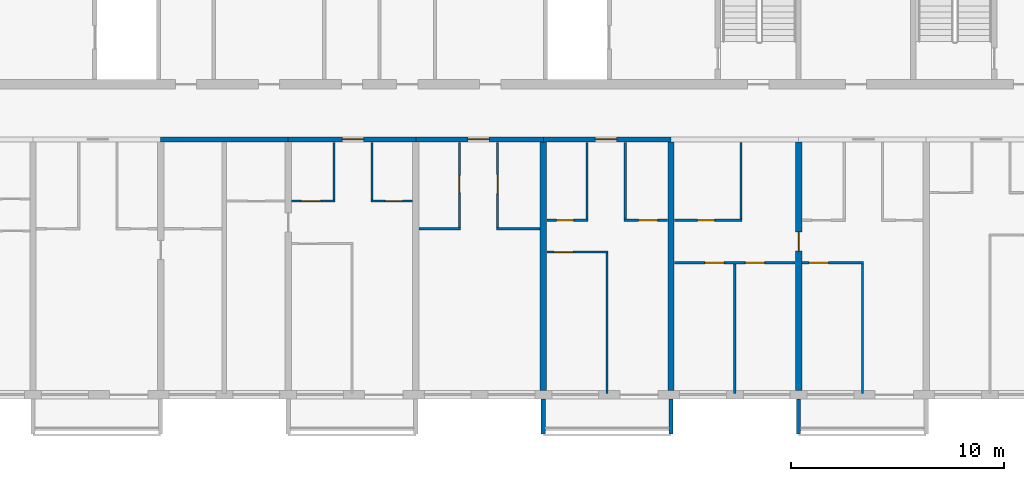
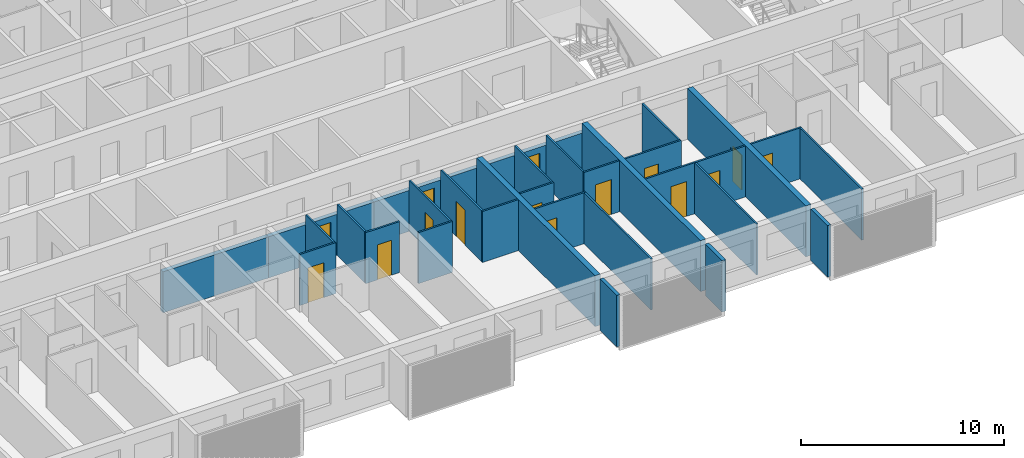
# One storey, part 5 of 32: 30 walls, 15 doors, 15 openings.
"""IFC4 building model written with IfcOpenShell, lengths in metres."""

from ifc_helpers import new_model, si_unit, direction, frame, frame_2d, origin, place, context, subcontext, project, spatial, polyline, rectangle, outline, extrude, source, transform, mapped, material, layer, layer_set, type_object, element, fill, save


model = new_model("IFC4")

# Units and contexts
model_context = context("Model", 3, precision=1e-05, world=origin(), true_north=direction((0.0, 1.0)))
body_context = subcontext(model_context, "Body", "Model", "MODEL_VIEW")
ifc_project = project(units=[si_unit("LENGTHUNIT", "METRE"), si_unit("AREAUNIT", "SQUARE_METRE"), si_unit("VOLUMEUNIT", "CUBIC_METRE"), si_unit("PLANEANGLEUNIT", "RADIAN"), si_unit("MASSUNIT", "GRAM", prefix="KILO")], contexts=[model_context])

# Site, building, storey
site_placement = place(None, origin())
site = spatial("IfcSite", under=ifc_project, at=site_placement, CompositionType="ELEMENT")
building_placement = place(site_placement, origin())
building = spatial("IfcBuilding", under=site, at=building_placement, Name="Poui Terraces", CompositionType="ELEMENT")
storey_placement = place(building_placement, frame((0.0, 0.0, 122.39990234375)))
storey = spatial("IfcBuildingStorey", under=building, at=storey_placement, Name="L33", CompositionType="ELEMENT", Elevation=122.39990234375)

# Wall
ifc_material_1 = material(Name="Concrete 65 MPa", Category="concrete")
ifc_layer_1 = layer(ifc_material_1, 0.25)
ifc_layer_set_1 = layer_set([ifc_layer_1], Name="Concrete 65 MPa")
wall_type_1 = type_object("IfcWallType", Name="CORRIDOR WALL 250 65MPa", PredefinedType="SHEAR", material=ifc_layer_set_1)
wall_1_placement = place(storey_placement, frame((42.0, 12.0, 0.0), z_axis=(0.0, 0.0, 1.0), x_axis=(1.0, 0.0, 0.0)))
element("IfcWall", 1, at=wall_1_placement, inside=storey, type_object=wall_type_1, Name="CORRIDOR WALL LINE B BAY 6", PredefinedType="SHEAR", context=body_context, shape_type="SweptSolid", body=[
    extrude(rectangle(XDim=6.0, YDim=0.25, at=frame_2d((3.0, 0.0))), origin(), (0.0, 0.0, 1.0), 2.47021484375),
])

# Wall, opening, door
wall_2_placement = place(storey_placement, frame((48.0, 12.0, 0.0), z_axis=(0.0, 0.0, 1.0), x_axis=(1.0, 0.0, 0.0)))
wall_2 = element("IfcWall", 2, at=wall_2_placement, inside=storey, type_object=wall_type_1, Name="CORRIDOR WALL LINE B BAY 7", PredefinedType="SHEAR", context=body_context, shape_type="SweptSolid", body=[
    extrude(rectangle(XDim=6.0, YDim=0.25, at=frame_2d((3.0, 0.0))), origin(), (0.0, 0.0, 1.0), 2.47021484375),
])
opening_1_placement = place(wall_2_placement, frame((2.550048828125, 0.0, 0.0)))
opening_1 = element("IfcOpeningElement", 3, at=opening_1_placement, cuts=wall_2, Name="Opening FD30S", PredefinedType="OPENING", context=body_context, shape_type="SweptSolid", body=[
    extrude(rectangle(XDim=1.0, YDim=2.10009765625, at=frame_2d((0.5, 1.050048828125))), frame((0.0, 0.135009765625, 0.0), z_axis=(0.0, -1.0, 0.0), x_axis=(1.0, 0.0, 0.0)), (0.0, 0.0, 1.0), 0.27001953125),
])
ifc_material_2 = material(Name="Steel fire door", Category="steel")
door_type_1 = type_object("IfcDoorType", Name="FLAT ENTRANCE DOOR 1000 X 2100", OperationType="NOTDEFINED", PredefinedType="DOOR", material=ifc_material_2)
door_1_placement = place(opening_1_placement, frame((1.0, 0.0, 0.0), z_axis=(0.0, 0.0, 1.0), x_axis=(-1.0, 0.0, 0.0)))
door_1 = element("IfcDoor", 4, at=door_1_placement, inside=storey, type_object=door_type_1, Name="FLAT ENTRANCE DOOR 099", OperationType="SINGLE_SWING_LEFT", OverallHeight=2.10009765625, OverallWidth=1.0, PredefinedType="DOOR", context=body_context, shape_type="SweptSolid", body=[
    extrude(rectangle(XDim=1.0, YDim=2.10009765625, at=frame_2d((0.5, 1.050048828125))), frame((0.0, 0.02490234375, 0.0), z_axis=(0.0, -1.0, 0.0), x_axis=(1.0, 0.0, 0.0)), (0.0, 0.0, 1.0), 0.050048828125),
])
fill(opening_1, door_1)

wall_3_placement = place(storey_placement, frame((54.0, 12.0, 0.0), z_axis=(0.0, 0.0, 1.0), x_axis=(1.0, 0.0, 0.0)))
wall_3 = element("IfcWall", 5, at=wall_3_placement, inside=storey, type_object=wall_type_1, Name="CORRIDOR WALL LINE B BAY 8", PredefinedType="SHEAR", context=body_context, shape_type="SweptSolid", body=[
    extrude(rectangle(XDim=6.0, YDim=0.25, at=frame_2d((3.0, 0.0))), origin(), (0.0, 0.0, 1.0), 2.47021484375),
])
opening_2_placement = place(wall_3_placement, frame((2.449951171875, 0.0, 0.0)))
opening_2 = element("IfcOpeningElement", 6, at=opening_2_placement, cuts=wall_3, Name="Opening FD30S", PredefinedType="OPENING", context=body_context, shape_type="SweptSolid", body=[
    extrude(rectangle(XDim=1.0, YDim=2.10009765625, at=frame_2d((0.5, 1.050048828125))), frame((0.0, 0.135009765625, 0.0), z_axis=(0.0, -1.0, 0.0), x_axis=(1.0, 0.0, 0.0)), (0.0, 0.0, 1.0), 0.27001953125),
])
door_2_placement = place(opening_2_placement, frame((1.0, 0.0, 0.0), z_axis=(0.0, 0.0, 1.0), x_axis=(-1.0, 0.0, 0.0)))
door_2 = element("IfcDoor", 7, at=door_2_placement, inside=storey, type_object=door_type_1, Name="FLAT ENTRANCE DOOR 102", OperationType="SINGLE_SWING_RIGHT", OverallHeight=2.10009765625, OverallWidth=1.0, PredefinedType="DOOR", context=body_context, shape_type="SweptSolid", body=[
    extrude(rectangle(XDim=1.0, YDim=2.10009765625, at=frame_2d((0.5, 1.050048828125))), frame((0.0, 0.02490234375, 0.0), z_axis=(0.0, -1.0, 0.0), x_axis=(1.0, 0.0, 0.0)), (0.0, 0.0, 1.0), 0.050048828125),
])
fill(opening_2, door_2)

wall_4_placement = place(storey_placement, frame((60.0, 12.0, 0.0), z_axis=(0.0, 0.0, 1.0), x_axis=(1.0, 0.0, 0.0)))
wall_4 = element("IfcWall", 8, at=wall_4_placement, inside=storey, type_object=wall_type_1, Name="CORRIDOR WALL LINE B BAY 9", PredefinedType="SHEAR", context=body_context, shape_type="SweptSolid", body=[
    extrude(rectangle(XDim=6.0, YDim=0.25, at=frame_2d((3.0, 0.0))), origin(), (0.0, 0.0, 1.0), 2.47021484375),
])
opening_3_placement = place(wall_4_placement, frame((2.449951171875, 0.0, 0.0)))
opening_3 = element("IfcOpeningElement", 9, at=opening_3_placement, cuts=wall_4, Name="Opening FD30S", PredefinedType="OPENING", context=body_context, shape_type="SweptSolid", body=[
    extrude(rectangle(XDim=1.0, YDim=2.10009765625, at=frame_2d((0.5, 1.050048828125))), frame((0.0, 0.135009765625, 0.0), z_axis=(0.0, -1.0, 0.0), x_axis=(1.0, 0.0, 0.0)), (0.0, 0.0, 1.0), 0.27001953125),
])
door_3_placement = place(opening_3_placement, frame((1.0, 0.0, 0.0), z_axis=(0.0, 0.0, 1.0), x_axis=(-1.0, 0.0, 0.0)))
door_3 = element("IfcDoor", 10, at=door_3_placement, inside=storey, type_object=door_type_1, Name="FLAT ENTRANCE DOOR 106", OperationType="SINGLE_SWING_RIGHT", OverallHeight=2.10009765625, OverallWidth=1.0, PredefinedType="DOOR", context=body_context, shape_type="SweptSolid", body=[
    extrude(rectangle(XDim=1.0, YDim=2.10009765625, at=frame_2d((0.5, 1.050048828125))), frame((0.0, 0.02490234375, 0.0), z_axis=(0.0, -1.0, 0.0), x_axis=(1.0, 0.0, 0.0)), (0.0, 0.0, 1.0), 0.050048828125),
])
fill(opening_3, door_3)

# Walls
ifc_layer_2 = layer(ifc_material_1, 0.300048828125)
ifc_layer_set_2 = layer_set([ifc_layer_2], Name="Concrete 65 MPa")
wall_type_2 = type_object("IfcWallType", Name="CROSS WALL 300 65MPa", PredefinedType="SHEAR", material=ifc_layer_set_2)
for number, where, z_axis, x_axis, name in (
    (11, (60.0, 0.199951171875, 0.0), (0.0, 0.0, 1.0), (0.0, 1.0, 0.0), "CROSS WALL LINE 11 SOUTH"),
    (12, (66.0, 0.199951171875, 0.0), (0.0, 0.0, 1.0), (0.0, 1.0, 0.0), "CROSS WALL LINE 12 SOUTH"),
):
    element("IfcWall", number, at=place(storey_placement, frame(where, z_axis=z_axis, x_axis=x_axis)), inside=storey, type_object=wall_type_2, Name=name, PredefinedType="SHEAR", context=body_context, shape_type="SweptSolid", body=[
        extrude(rectangle(XDim=11.675048828125, YDim=0.300048828125, at=frame_2d((5.83740234375, 0.0))), origin(), (0.0, 0.0, 1.0), 3.070068359375),
    ])

# Wall, opening, door
wall_5_placement = place(storey_placement, frame((72.0, 0.199951171875, 0.0), z_axis=(0.0, 0.0, 1.0), x_axis=(0.0, 1.0, 0.0)))
wall_5 = element("IfcWall", 13, at=wall_5_placement, inside=storey, type_object=wall_type_2, Name="CROSS WALL LINE 13 SOUTH", PredefinedType="SHEAR", context=body_context, shape_type="SweptSolid", body=[
    extrude(rectangle(XDim=11.675048828125, YDim=0.300048828125, at=frame_2d((5.83740234375, 0.0))), origin(), (0.0, 0.0, 1.0), 3.070068359375),
])
opening_4_placement = place(wall_5_placement, frame((6.550048828125, 0.0, 0.0)))
opening_4 = element("IfcOpeningElement", 14, at=opening_4_placement, cuts=wall_5, Name="Opening D90", PredefinedType="OPENING", context=body_context, shape_type="SweptSolid", body=[
    extrude(rectangle(XDim=0.89990234375, YDim=2.10009765625, at=frame_2d((0.449951171875, 1.050048828125))), frame((0.0, 0.16015625, 0.0), z_axis=(0.0, -1.0, 0.0), x_axis=(1.0, 0.0, 0.0)), (0.0, 0.0, 1.0), 0.320068359375),
])
ifc_material_3 = material(Name="Solid core timber door", Category="wood")
door_type_2 = type_object("IfcDoorType", Name="INTERNAL DOOR 900 X 2100", OperationType="NOTDEFINED", PredefinedType="DOOR", material=ifc_material_3)
door_4_placement = place(opening_4_placement, frame((0.89990234375, 0.0, 0.0), z_axis=(0.0, 0.0, 1.0), x_axis=(-1.0, 0.0, 0.0)))
door_4 = element("IfcDoor", 15, at=door_4_placement, inside=storey, type_object=door_type_2, Name="INTERNAL DOOR 111", OperationType="SINGLE_SWING_LEFT", OverallHeight=2.10009765625, OverallWidth=0.89990234375, PredefinedType="DOOR", context=body_context, shape_type="SweptSolid", body=[
    extrude(rectangle(XDim=0.89990234375, YDim=2.10009765625, at=frame_2d((0.449951171875, 1.050048828125))), frame((0.0, 0.02490234375, 0.0), z_axis=(0.0, -1.0, 0.0), x_axis=(1.0, 0.0, 0.0)), (0.0, 0.0, 1.0), 0.050048828125),
])
fill(opening_4, door_4)

# Wall, openings, doors
ifc_material_4 = material(Name="Plasterboard partition")
ifc_layer_3 = layer(ifc_material_4, 0.10009765625)
ifc_layer_set_3 = layer_set([ifc_layer_3], Name="Plasterboard partition")
wall_type_3 = type_object("IfcWallType", Name="FLAT PARTITION 100", PredefinedType="PARTITIONING", material=ifc_layer_set_3)
wall_6_placement = place(storey_placement, frame((66.159912109375, 6.199951171875, 0.0), z_axis=(0.0, 0.0, 1.0), x_axis=(1.0, 0.0, 0.0)))
wall_6 = element("IfcWall", 16, at=wall_6_placement, inside=storey, type_object=wall_type_3, Name="FLAT PARTITION 100", PredefinedType="PARTITIONING", context=body_context, shape_type="SweptSolid", body=[
    extrude(rectangle(XDim=5.68017578125, YDim=0.10009765625, at=frame_2d((2.840087890625, 0.0))), origin(), (0.0, 0.0, 1.0), 3.070068359375),
])
opening_5_placement = place(wall_6_placement, frame((1.43994140625, 0.0, 0.0)))
opening_5 = element("IfcOpeningElement", 17, at=opening_5_placement, cuts=wall_6, Name="Opening D90", PredefinedType="OPENING", context=body_context, shape_type="SweptSolid", body=[
    extrude(rectangle(XDim=0.89990234375, YDim=2.10009765625, at=frame_2d((0.449951171875, 1.050048828125))), frame((0.0, 0.06005859375, 0.0), z_axis=(0.0, -1.0, 0.0), x_axis=(1.0, 0.0, 0.0)), (0.0, 0.0, 1.0), 0.1201171875),
])
opening_6_placement = place(wall_6_placement, frame((3.340087890625, 0.0, 0.0)))
opening_6 = element("IfcOpeningElement", 18, at=opening_6_placement, cuts=wall_6, Name="Opening D90", PredefinedType="OPENING", context=body_context, shape_type="SweptSolid", body=[
    extrude(rectangle(XDim=0.89990234375, YDim=2.10009765625, at=frame_2d((0.449951171875, 1.050048828125))), frame((0.0, 0.06005859375, 0.0), z_axis=(0.0, -1.0, 0.0), x_axis=(1.0, 0.0, 0.0)), (0.0, 0.0, 1.0), 0.1201171875),
])
door_5_placement = place(opening_5_placement, frame((0.89990234375, 0.0, 0.0), z_axis=(0.0, 0.0, 1.0), x_axis=(-1.0, 0.0, 0.0)))
door_5 = element("IfcDoor", 19, at=door_5_placement, inside=storey, type_object=door_type_2, Name="INTERNAL DOOR 109", OperationType="SINGLE_SWING_LEFT", OverallHeight=2.10009765625, OverallWidth=0.89990234375, PredefinedType="DOOR", context=body_context, shape_type="SweptSolid", body=[
    extrude(rectangle(XDim=0.89990234375, YDim=2.10009765625, at=frame_2d((0.449951171875, 1.050048828125))), frame((0.0, 0.02490234375, 0.0), z_axis=(0.0, -1.0, 0.0), x_axis=(1.0, 0.0, 0.0)), (0.0, 0.0, 1.0), 0.050048828125),
])
fill(opening_5, door_5)
door_6_placement = place(opening_6_placement, frame((0.89990234375, 0.0, 0.0), z_axis=(0.0, 0.0, 1.0), x_axis=(-1.0, 0.0, 0.0)))
door_6 = element("IfcDoor", 20, at=door_6_placement, inside=storey, type_object=door_type_2, Name="INTERNAL DOOR 110", OperationType="SINGLE_SWING_RIGHT", OverallHeight=2.10009765625, OverallWidth=0.89990234375, PredefinedType="DOOR", context=body_context, shape_type="SweptSolid", body=[
    extrude(rectangle(XDim=0.89990234375, YDim=2.10009765625, at=frame_2d((0.449951171875, 1.050048828125))), frame((0.0, 0.02490234375, 0.0), z_axis=(0.0, -1.0, 0.0), x_axis=(1.0, 0.0, 0.0)), (0.0, 0.0, 1.0), 0.050048828125),
])
fill(opening_6, door_6)

# Wall, opening, door
wall_7_placement = place(storey_placement, frame((72.159912109375, 6.199951171875, 0.0), z_axis=(0.0, 0.0, 1.0), x_axis=(1.0, 0.0, 0.0)))
wall_7 = element("IfcWall", 21, at=wall_7_placement, inside=storey, type_object=wall_type_3, Name="FLAT PARTITION 100", PredefinedType="PARTITIONING", context=body_context, shape_type="SweptSolid", body=[
    extrude(rectangle(XDim=2.89013671875, YDim=0.10009765625, at=frame_2d((1.445068359375, 0.0))), origin(), (0.0, 0.0, 1.0), 3.070068359375),
])
opening_7_placement = place(wall_7_placement, frame((0.340087890625, 0.0, 0.0)))
opening_7 = element("IfcOpeningElement", 22, at=opening_7_placement, cuts=wall_7, Name="Opening D90", PredefinedType="OPENING", context=body_context, shape_type="SweptSolid", body=[
    extrude(rectangle(XDim=0.89990234375, YDim=2.10009765625, at=frame_2d((0.449951171875, 1.050048828125))), frame((0.0, 0.06005859375, 0.0), z_axis=(0.0, -1.0, 0.0), x_axis=(1.0, 0.0, 0.0)), (0.0, 0.0, 1.0), 0.1201171875),
])
door_7_placement = place(opening_7_placement, origin())
door_7 = element("IfcDoor", 23, at=door_7_placement, inside=storey, type_object=door_type_2, Name="INTERNAL DOOR 112", OperationType="SINGLE_SWING_RIGHT", OverallHeight=2.10009765625, OverallWidth=0.89990234375, PredefinedType="DOOR", context=body_context, shape_type="SweptSolid", body=[
    extrude(rectangle(XDim=0.89990234375, YDim=2.10009765625, at=frame_2d((0.449951171875, 1.050048828125))), frame((0.0, 0.02490234375, 0.0), z_axis=(0.0, -1.0, 0.0), x_axis=(1.0, 0.0, 0.0)), (0.0, 0.0, 1.0), 0.050048828125),
])
fill(opening_7, door_7)

wall_8_placement = place(storey_placement, frame((60.159912109375, 6.699951171875, 0.0), z_axis=(0.0, 0.0, 1.0), x_axis=(1.0, 0.0, 0.0)))
wall_8 = element("IfcWall", 24, at=wall_8_placement, inside=storey, type_object=wall_type_3, Name="FLAT PARTITION 100", PredefinedType="PARTITIONING", context=body_context, shape_type="SweptSolid", body=[
    extrude(rectangle(XDim=2.89013671875, YDim=0.10009765625, at=frame_2d((1.445068359375, 0.0))), origin(), (0.0, 0.0, 1.0), 3.070068359375),
])
opening_8_placement = place(wall_8_placement, frame((0.340087890625, 0.0, 0.0)))
opening_8 = element("IfcOpeningElement", 25, at=opening_8_placement, cuts=wall_8, Name="Opening D90", PredefinedType="OPENING", context=body_context, shape_type="SweptSolid", body=[
    extrude(rectangle(XDim=0.89990234375, YDim=2.10009765625, at=frame_2d((0.449951171875, 1.050048828125))), frame((0.0, 0.06005859375, 0.0), z_axis=(0.0, -1.0, 0.0), x_axis=(1.0, 0.0, 0.0)), (0.0, 0.0, 1.0), 0.1201171875),
])
door_8_placement = place(opening_8_placement, origin())
door_8 = element("IfcDoor", 26, at=door_8_placement, inside=storey, type_object=door_type_2, Name="INTERNAL DOOR 104", OperationType="SINGLE_SWING_RIGHT", OverallHeight=2.10009765625, OverallWidth=0.89990234375, PredefinedType="DOOR", context=body_context, shape_type="SweptSolid", body=[
    extrude(rectangle(XDim=0.89990234375, YDim=2.10009765625, at=frame_2d((0.449951171875, 1.050048828125))), frame((0.0, 0.02490234375, 0.0), z_axis=(0.0, -1.0, 0.0), x_axis=(1.0, 0.0, 0.0)), (0.0, 0.0, 1.0), 0.050048828125),
])
fill(opening_8, door_8)

# Walls
wall_9_placement = place(storey_placement, frame((54.159912109375, 7.800048828125, 0.0), z_axis=(0.0, 0.0, 1.0), x_axis=(1.0, 0.0, 0.0)))
element("IfcWall", 27, at=wall_9_placement, inside=storey, type_object=wall_type_3, Name="FLAT PARTITION 100", PredefinedType="PARTITIONING", context=body_context, shape_type="SweptSolid", body=[
    extrude(rectangle(XDim=1.940185546875, YDim=0.10009765625, at=frame_2d((0.97021484375, 0.0))), origin(), (0.0, 0.0, 1.0), 3.070068359375),
])
wall_10_placement = place(storey_placement, frame((57.800048828125, 7.800048828125, 0.0), z_axis=(0.0, 0.0, 1.0), x_axis=(1.0, 0.0, 0.0)))
element("IfcWall", 28, at=wall_10_placement, inside=storey, type_object=wall_type_3, Name="FLAT PARTITION 100", PredefinedType="PARTITIONING", context=body_context, shape_type="SweptSolid", body=[
    extrude(rectangle(XDim=2.0400390625, YDim=0.10009765625, at=frame_2d((1.02001953125, 0.0))), origin(), (0.0, 0.0, 1.0), 3.070068359375),
])

# Wall, opening, door
wall_11_placement = place(storey_placement, frame((60.159912109375, 8.199951171875, 0.0), z_axis=(0.0, 0.0, 1.0), x_axis=(1.0, 0.0, 0.0)))
wall_11 = element("IfcWall", 29, at=wall_11_placement, inside=storey, type_object=wall_type_3, Name="FLAT PARTITION 100", PredefinedType="PARTITIONING", context=body_context, shape_type="SweptSolid", body=[
    extrude(rectangle(XDim=1.940185546875, YDim=0.10009765625, at=frame_2d((0.97021484375, 0.0))), origin(), (0.0, 0.0, 1.0), 3.070068359375),
])
opening_9_placement = place(wall_11_placement, frame((0.465087890625, 0.0, 0.0)))
opening_9 = element("IfcOpeningElement", 30, at=opening_9_placement, cuts=wall_11, Name="Opening D80", PredefinedType="OPENING", context=body_context, shape_type="SweptSolid", body=[
    extrude(rectangle(XDim=0.800048828125, YDim=2.10009765625, at=frame_2d((0.39990234375, 1.050048828125))), frame((0.0, 0.06005859375, 0.0), z_axis=(0.0, -1.0, 0.0), x_axis=(1.0, 0.0, 0.0)), (0.0, 0.0, 1.0), 0.1201171875),
])
door_type_3 = type_object("IfcDoorType", Name="BATHROOM, LAUNDRY AND STORE DOOR 800 X 2100", OperationType="NOTDEFINED", PredefinedType="DOOR", material=ifc_material_3)
door_9_placement = place(opening_9_placement, origin())
door_9 = element("IfcDoor", 31, at=door_9_placement, inside=storey, type_object=door_type_3, Name="BATHROOM, LAUNDRY AND STORE DOOR 105", OperationType="SINGLE_SWING_LEFT", OverallHeight=2.10009765625, OverallWidth=0.800048828125, PredefinedType="DOOR", context=body_context, shape_type="SweptSolid", body=[
    extrude(rectangle(XDim=0.800048828125, YDim=2.10009765625, at=frame_2d((0.39990234375, 1.050048828125))), frame((0.0, 0.02490234375, 0.0), z_axis=(0.0, -1.0, 0.0), x_axis=(1.0, 0.0, 0.0)), (0.0, 0.0, 1.0), 0.050048828125),
])
fill(opening_9, door_9)

wall_12_placement = place(storey_placement, frame((63.800048828125, 8.199951171875, 0.0), z_axis=(0.0, 0.0, 1.0), x_axis=(1.0, 0.0, 0.0)))
wall_12 = element("IfcWall", 32, at=wall_12_placement, inside=storey, type_object=wall_type_3, Name="FLAT PARTITION 100", PredefinedType="PARTITIONING", context=body_context, shape_type="SweptSolid", body=[
    extrude(rectangle(XDim=2.0400390625, YDim=0.10009765625, at=frame_2d((1.02001953125, 0.0))), origin(), (0.0, 0.0, 1.0), 3.070068359375),
])
opening_10_placement = place(wall_12_placement, frame((0.675048828125, 0.0, 0.0)))
opening_10 = element("IfcOpeningElement", 33, at=opening_10_placement, cuts=wall_12, Name="Opening D90", PredefinedType="OPENING", context=body_context, shape_type="SweptSolid", body=[
    extrude(rectangle(XDim=0.89990234375, YDim=2.10009765625, at=frame_2d((0.449951171875, 1.050048828125))), frame((0.0, 0.06005859375, 0.0), z_axis=(0.0, -1.0, 0.0), x_axis=(1.0, 0.0, 0.0)), (0.0, 0.0, 1.0), 0.1201171875),
])
door_10_placement = place(opening_10_placement, origin())
door_10 = element("IfcDoor", 34, at=door_10_placement, inside=storey, type_object=door_type_2, Name="INTERNAL DOOR 107", OperationType="SINGLE_SWING_RIGHT", OverallHeight=2.10009765625, OverallWidth=0.89990234375, PredefinedType="DOOR", context=body_context, shape_type="SweptSolid", body=[
    extrude(rectangle(XDim=0.89990234375, YDim=2.10009765625, at=frame_2d((0.449951171875, 1.050048828125))), frame((0.0, 0.02490234375, 0.0), z_axis=(0.0, -1.0, 0.0), x_axis=(1.0, 0.0, 0.0)), (0.0, 0.0, 1.0), 0.050048828125),
])
fill(opening_10, door_10)

wall_13_placement = place(storey_placement, frame((66.159912109375, 8.199951171875, 0.0), z_axis=(0.0, 0.0, 1.0), x_axis=(1.0, 0.0, 0.0)))
wall_13 = element("IfcWall", 35, at=wall_13_placement, inside=storey, type_object=wall_type_3, Name="FLAT PARTITION 100", PredefinedType="PARTITIONING", context=body_context, shape_type="SweptSolid", body=[
    extrude(rectangle(XDim=3.190185546875, YDim=0.10009765625, at=frame_2d((1.59521484375, 0.0))), origin(), (0.0, 0.0, 1.0), 3.070068359375),
])
opening_11_placement = place(wall_13_placement, frame((1.090087890625, 0.0, 0.0)))
opening_11 = element("IfcOpeningElement", 36, at=opening_11_placement, cuts=wall_13, Name="Opening D80", PredefinedType="OPENING", context=body_context, shape_type="SweptSolid", body=[
    extrude(rectangle(XDim=0.800048828125, YDim=2.10009765625, at=frame_2d((0.39990234375, 1.050048828125))), frame((0.0, 0.06005859375, 0.0), z_axis=(0.0, -1.0, 0.0), x_axis=(1.0, 0.0, 0.0)), (0.0, 0.0, 1.0), 0.1201171875),
])
door_11_placement = place(opening_11_placement, frame((0.800048828125, 0.0, 0.0), z_axis=(0.0, 0.0, 1.0), x_axis=(-1.0, 0.0, 0.0)))
door_11 = element("IfcDoor", 37, at=door_11_placement, inside=storey, type_object=door_type_3, Name="BATHROOM, LAUNDRY AND STORE DOOR 108", OperationType="SINGLE_SWING_RIGHT", OverallHeight=2.10009765625, OverallWidth=0.800048828125, PredefinedType="DOOR", context=body_context, shape_type="SweptSolid", body=[
    extrude(rectangle(XDim=0.800048828125, YDim=2.10009765625, at=frame_2d((0.39990234375, 1.050048828125))), frame((0.0, 0.02490234375, 0.0), z_axis=(0.0, -1.0, 0.0), x_axis=(1.0, 0.0, 0.0)), (0.0, 0.0, 1.0), 0.050048828125),
])
fill(opening_11, door_11)

wall_14_placement = place(storey_placement, frame((48.159912109375, 9.10009765625, 0.0), z_axis=(0.0, 0.0, 1.0), x_axis=(1.0, 0.0, 0.0)))
wall_14 = element("IfcWall", 38, at=wall_14_placement, inside=storey, type_object=wall_type_3, Name="FLAT PARTITION 100", PredefinedType="PARTITIONING", context=body_context, shape_type="SweptSolid", body=[
    extrude(rectangle(XDim=2.0400390625, YDim=0.10009765625, at=frame_2d((1.02001953125, 0.0))), origin(), (0.0, 0.0, 1.0), 3.070068359375),
])
opening_12_placement = place(wall_14_placement, frame((0.465087890625, 0.0, 0.0)))
opening_12 = element("IfcOpeningElement", 39, at=opening_12_placement, cuts=wall_14, Name="Opening D90", PredefinedType="OPENING", context=body_context, shape_type="SweptSolid", body=[
    extrude(rectangle(XDim=0.89990234375, YDim=2.10009765625, at=frame_2d((0.449951171875, 1.050048828125))), frame((0.0, 0.06005859375, 0.0), z_axis=(0.0, -1.0, 0.0), x_axis=(1.0, 0.0, 0.0)), (0.0, 0.0, 1.0), 0.1201171875),
])
door_12_placement = place(opening_12_placement, origin())
door_12 = element("IfcDoor", 40, at=door_12_placement, inside=storey, type_object=door_type_2, Name="INTERNAL DOOR 098", OperationType="SINGLE_SWING_LEFT", OverallHeight=2.10009765625, OverallWidth=0.89990234375, PredefinedType="DOOR", context=body_context, shape_type="SweptSolid", body=[
    extrude(rectangle(XDim=0.89990234375, YDim=2.10009765625, at=frame_2d((0.449951171875, 1.050048828125))), frame((0.0, 0.02490234375, 0.0), z_axis=(0.0, -1.0, 0.0), x_axis=(1.0, 0.0, 0.0)), (0.0, 0.0, 1.0), 0.050048828125),
])
fill(opening_12, door_12)

wall_15_placement = place(storey_placement, frame((51.89990234375, 9.10009765625, 0.0), z_axis=(0.0, 0.0, 1.0), x_axis=(1.0, 0.0, 0.0)))
wall_15 = element("IfcWall", 41, at=wall_15_placement, inside=storey, type_object=wall_type_3, Name="FLAT PARTITION 100", PredefinedType="PARTITIONING", context=body_context, shape_type="SweptSolid", body=[
    extrude(rectangle(XDim=1.940185546875, YDim=0.10009765625, at=frame_2d((0.97021484375, 0.0))), origin(), (0.0, 0.0, 1.0), 3.070068359375),
])
opening_13_placement = place(wall_15_placement, frame((0.675048828125, 0.0, 0.0)))
opening_13 = element("IfcOpeningElement", 42, at=opening_13_placement, cuts=wall_15, Name="Opening D80", PredefinedType="OPENING", context=body_context, shape_type="SweptSolid", body=[
    extrude(rectangle(XDim=0.800048828125, YDim=2.10009765625, at=frame_2d((0.39990234375, 1.050048828125))), frame((0.0, 0.06005859375, 0.0), z_axis=(0.0, -1.0, 0.0), x_axis=(1.0, 0.0, 0.0)), (0.0, 0.0, 1.0), 0.1201171875),
])
door_13_placement = place(opening_13_placement, origin())
door_13 = element("IfcDoor", 43, at=door_13_placement, inside=storey, type_object=door_type_3, Name="BATHROOM, LAUNDRY AND STORE DOOR 100", OperationType="SINGLE_SWING_RIGHT", OverallHeight=2.10009765625, OverallWidth=0.800048828125, PredefinedType="DOOR", context=body_context, shape_type="SweptSolid", body=[
    extrude(rectangle(XDim=0.800048828125, YDim=2.10009765625, at=frame_2d((0.39990234375, 1.050048828125))), frame((0.0, 0.02490234375, 0.0), z_axis=(0.0, -1.0, 0.0), x_axis=(1.0, 0.0, 0.0)), (0.0, 0.0, 1.0), 0.050048828125),
])
fill(opening_13, door_13)

# Walls
for number, where, z_axis, x_axis, name in (
    (44, (50.14990234375, 9.14990234375, 0.0), (0.0, 0.0, 1.0), (0.0, 1.0, 0.0), "FLAT PARTITION 100"),
    (45, (51.949951171875, 9.14990234375, 0.0), (0.0, 0.0, 1.0), (0.0, 1.0, 0.0), "FLAT PARTITION 100"),
):
    element("IfcWall", number, at=place(storey_placement, frame(where, z_axis=z_axis, x_axis=x_axis)), inside=storey, type_object=wall_type_3, Name=name, PredefinedType="PARTITIONING", context=body_context, shape_type="SweptSolid", body=[
        extrude(rectangle(XDim=2.715087890625, YDim=0.10009765625, at=frame_2d((1.357421875, 0.0))), origin(), (0.0, 0.0, 1.0), 3.070068359375),
    ])

# Wall, opening, door
wall_16_placement = place(storey_placement, frame((56.050048828125, 7.85009765625, 0.0), z_axis=(0.0, 0.0, 1.0), x_axis=(0.0, 1.0, 0.0)))
wall_16 = element("IfcWall", 46, at=wall_16_placement, inside=storey, type_object=wall_type_3, Name="FLAT PARTITION 100", PredefinedType="PARTITIONING", context=body_context, shape_type="SweptSolid", body=[
    extrude(rectangle(XDim=4.014892578125, YDim=0.10009765625, at=frame_2d((2.00732421875, 0.0))), origin(), (0.0, 0.0, 1.0), 3.070068359375),
])
opening_14_placement = place(wall_16_placement, frame((1.64990234375, 0.0, 0.0)))
opening_14 = element("IfcOpeningElement", 47, at=opening_14_placement, cuts=wall_16, Name="Opening D80", PredefinedType="OPENING", context=body_context, shape_type="SweptSolid", body=[
    extrude(rectangle(XDim=0.800048828125, YDim=2.10009765625, at=frame_2d((0.39990234375, 1.050048828125))), frame((0.0, 0.06005859375, 0.0), z_axis=(0.0, -1.0, 0.0), x_axis=(1.0, 0.0, 0.0)), (0.0, 0.0, 1.0), 0.1201171875),
])
door_14_placement = place(opening_14_placement, origin())
door_14 = element("IfcDoor", 48, at=door_14_placement, inside=storey, type_object=door_type_3, Name="BATHROOM, LAUNDRY AND STORE DOOR 101", OperationType="SINGLE_SWING_LEFT", OverallHeight=2.10009765625, OverallWidth=0.800048828125, PredefinedType="DOOR", context=body_context, shape_type="SweptSolid", body=[
    extrude(rectangle(XDim=0.800048828125, YDim=2.10009765625, at=frame_2d((0.39990234375, 1.050048828125))), frame((0.0, 0.02490234375, 0.0), z_axis=(0.0, -1.0, 0.0), x_axis=(1.0, 0.0, 0.0)), (0.0, 0.0, 1.0), 0.050048828125),
])
fill(opening_14, door_14)

wall_17_placement = place(storey_placement, frame((57.85009765625, 7.85009765625, 0.0), z_axis=(0.0, 0.0, 1.0), x_axis=(0.0, 1.0, 0.0)))
wall_17 = element("IfcWall", 49, at=wall_17_placement, inside=storey, type_object=wall_type_3, Name="FLAT PARTITION 100", PredefinedType="PARTITIONING", context=body_context, shape_type="SweptSolid", body=[
    extrude(rectangle(XDim=4.014892578125, YDim=0.10009765625, at=frame_2d((2.00732421875, 0.0))), origin(), (0.0, 0.0, 1.0), 3.070068359375),
])
opening_15_placement = place(wall_17_placement, frame((1.60009765625, 0.0, 0.0)))
opening_15 = element("IfcOpeningElement", 50, at=opening_15_placement, cuts=wall_17, Name="Opening D90", PredefinedType="OPENING", context=body_context, shape_type="SweptSolid", body=[
    extrude(rectangle(XDim=0.89990234375, YDim=2.10009765625, at=frame_2d((0.449951171875, 1.050048828125))), frame((0.0, 0.06005859375, 0.0), z_axis=(0.0, -1.0, 0.0), x_axis=(1.0, 0.0, 0.0)), (0.0, 0.0, 1.0), 0.1201171875),
])
door_15_placement = place(opening_15_placement, frame((0.89990234375, 0.0, 0.0), z_axis=(0.0, 0.0, 1.0), x_axis=(-1.0, 0.0, 0.0)))
door_15 = element("IfcDoor", 51, at=door_15_placement, inside=storey, type_object=door_type_2, Name="INTERNAL DOOR 103", OperationType="SINGLE_SWING_LEFT", OverallHeight=2.10009765625, OverallWidth=0.89990234375, PredefinedType="DOOR", context=body_context, shape_type="SweptSolid", body=[
    extrude(rectangle(XDim=0.89990234375, YDim=2.10009765625, at=frame_2d((0.449951171875, 1.050048828125))), frame((0.0, 0.02490234375, 0.0), z_axis=(0.0, -1.0, 0.0), x_axis=(1.0, 0.0, 0.0)), (0.0, 0.0, 1.0), 0.050048828125),
])
fill(opening_15, door_15)

# Walls
wall_18_placement = place(storey_placement, frame((62.050048828125, 8.25, 0.0), z_axis=(0.0, 0.0, 1.0), x_axis=(0.0, 1.0, 0.0)))
element("IfcWall", 52, at=wall_18_placement, inside=storey, type_object=wall_type_3, Name="FLAT PARTITION 100", PredefinedType="PARTITIONING", context=body_context, shape_type="SweptSolid", body=[
    extrude(rectangle(XDim=3.614990234375, YDim=0.10009765625, at=frame_2d((1.8076171875, 0.0))), origin(), (0.0, 0.0, 1.0), 3.070068359375),
])
wall_19_placement = place(storey_placement, frame((63.0, 0.06005859375, 0.0), z_axis=(0.0, 0.0, 1.0), x_axis=(0.0, 1.0, 0.0)))
element("IfcWall", 53, at=wall_19_placement, inside=storey, type_object=wall_type_3, Name="FLAT PARTITION 100", PredefinedType="PARTITIONING", context=body_context, shape_type="SweptSolid", body=[
    extrude(rectangle(XDim=6.58984375, YDim=0.10009765625, at=frame_2d((3.294921875, 0.0))), origin(), (0.0, 0.0, 1.0), 3.070068359375),
])
wall_20_placement = place(storey_placement, frame((63.85009765625, 8.25, 0.0), z_axis=(0.0, 0.0, 1.0), x_axis=(0.0, 1.0, 0.0)))
element("IfcWall", 54, at=wall_20_placement, inside=storey, type_object=wall_type_3, Name="FLAT PARTITION 100", PredefinedType="PARTITIONING", context=body_context, shape_type="SweptSolid", body=[
    extrude(rectangle(XDim=3.614990234375, YDim=0.10009765625, at=frame_2d((1.8076171875, 0.0))), origin(), (0.0, 0.0, 1.0), 3.070068359375),
])
wall_21_placement = place(storey_placement, frame((69.0, 0.06005859375, 0.0), z_axis=(0.0, 0.0, 1.0), x_axis=(0.0, 1.0, 0.0)))
element("IfcWall", 55, at=wall_21_placement, inside=storey, type_object=wall_type_3, Name="FLAT PARTITION 100", PredefinedType="PARTITIONING", context=body_context, shape_type="SweptSolid", body=[
    extrude(rectangle(XDim=6.08984375, YDim=0.10009765625, at=frame_2d((3.044921875, 0.0))), origin(), (0.0, 0.0, 1.0), 3.070068359375),
])
wall_22_placement = place(storey_placement, frame((69.300048828125, 8.25, 0.0), z_axis=(0.0, 0.0, 1.0), x_axis=(0.0, 1.0, 0.0)))
element("IfcWall", 56, at=wall_22_placement, inside=storey, type_object=wall_type_3, Name="FLAT PARTITION 100", PredefinedType="PARTITIONING", context=body_context, shape_type="SweptSolid", body=[
    extrude(rectangle(XDim=3.614990234375, YDim=0.10009765625, at=frame_2d((1.8076171875, 0.0))), origin(), (0.0, 0.0, 1.0), 3.070068359375),
])
wall_23_placement = place(storey_placement, frame((75.0, 0.06005859375, 0.0), z_axis=(0.0, 0.0, 1.0), x_axis=(0.0, 1.0, 0.0)))
element("IfcWall", 57, at=wall_23_placement, inside=storey, type_object=wall_type_3, Name="FLAT PARTITION 100", PredefinedType="PARTITIONING", context=body_context, shape_type="SweptSolid", body=[
    extrude(rectangle(XDim=6.08984375, YDim=0.10009765625, at=frame_2d((3.044921875, 0.0))), origin(), (0.0, 0.0, 1.0), 3.070068359375),
])
ifc_material_5 = material(Name="Precast concrete 40 MPa", Category="concrete")
ifc_layer_4 = layer(ifc_material_5, 0.199951171875)
ifc_layer_set_4 = layer_set([ifc_layer_4], Name="Precast concrete 40 MPa")
wall_type_4 = type_object("IfcWallType", Name="REAR FIN 200", PredefinedType="STANDARD", material=ifc_layer_set_4)
shared_shape = source(origin(), body_context, "Body", "SweptSolid", [
    extrude(outline(polyline([(0.0, 0.0), (0.2001953125, 0.0), (0.2001953125, 1.650146484375), (0.0, 1.650146484375), (0.0, 0.0)])), origin(), (0.0, 0.0, 1.0), 3.10009765625),
])
for number, where, name in (
    (58, (59.89990234375, -1.85009765625, 0.0), "REAR FIN"),
    (59, (65.89990234375, -1.85009765625, 0.0), "REAR FIN"),
    (60, (71.89990234375, -1.85009765625, 0.0), "REAR FIN"),
):
    element("IfcWall", number, at=place(storey_placement, frame(where)), inside=storey, type_object=wall_type_4, Name=name, PredefinedType="STANDARD", context=body_context, shape_type="MappedRepresentation", body=[
        mapped(shared_shape, transform((0.0, 0.0, 0.0))),
    ])

save(model, "model.ifc")
